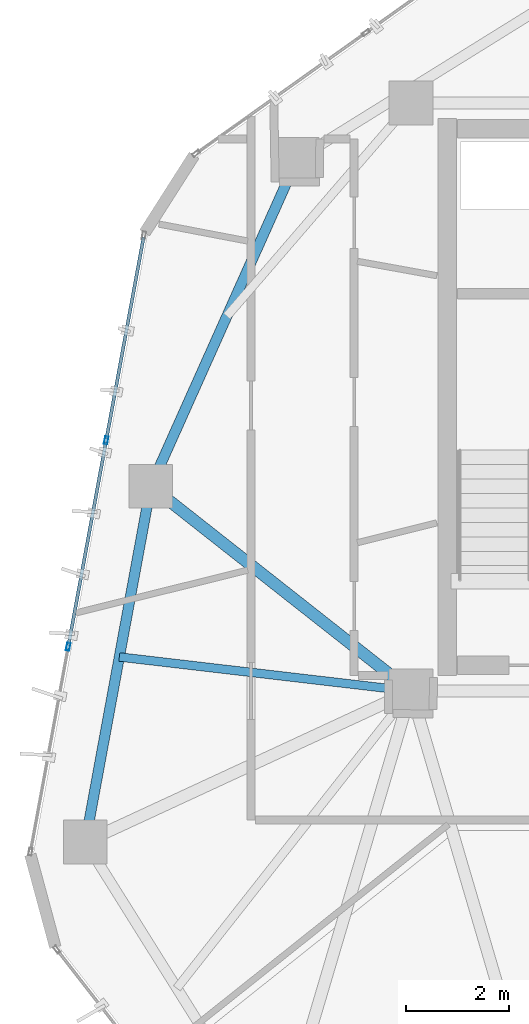
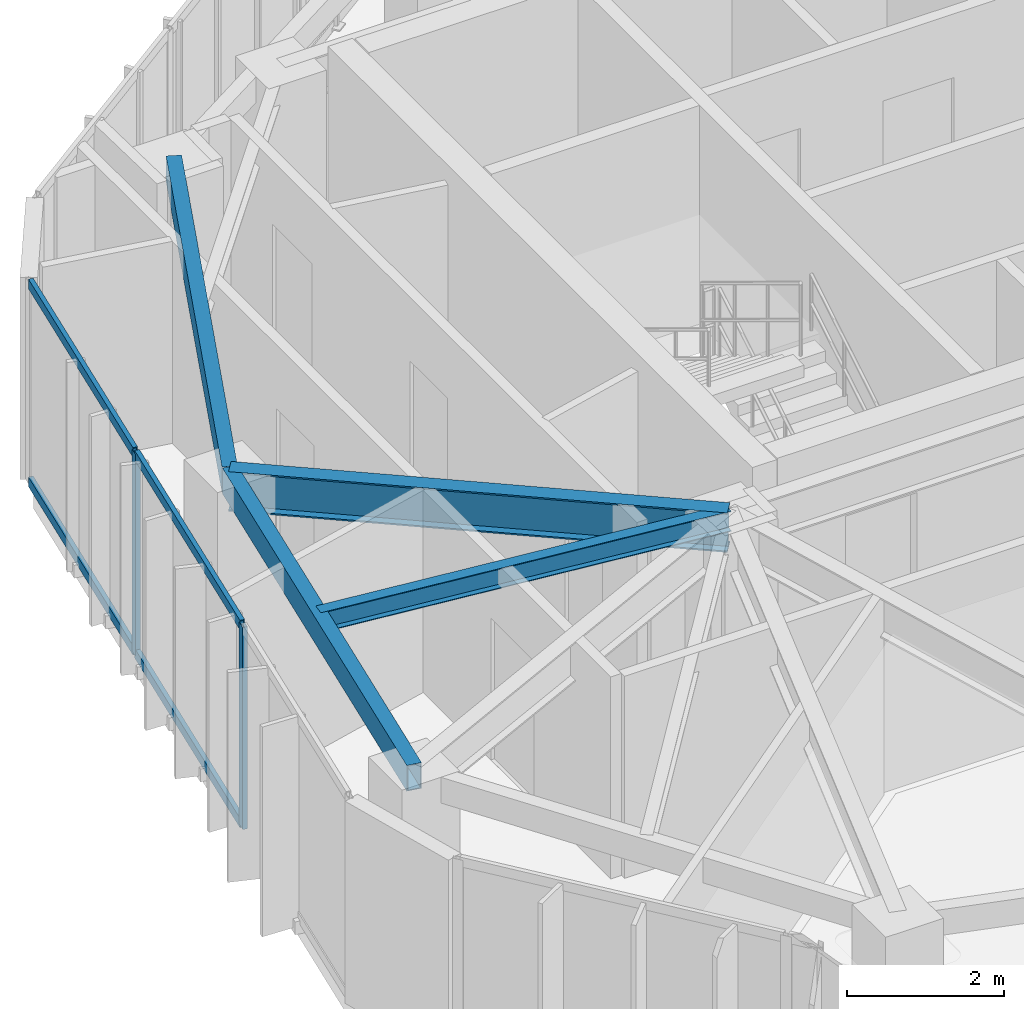
# One storey, part 8 of 19: 6 members, 4 beams, 1 element without a shape of its own.
"""IFC4 building model written with IfcOpenShell, lengths in metres."""

from ifc_helpers import new_model, si_unit, direction, frame, origin, origin_2d, place, context, subcontext, project, spatial, hollow_rectangle, i_section, extrude, source, transform, mapped, material, layer, layer_set, material_profile, profile_set, type_object, type_shapes, element, aggregate, save


model = new_model("IFC4")

# Units and contexts
model_context = context("Model", 3, precision=1e-05, world=origin(), true_north=direction((0.0, 1.0)))
body_context = subcontext(model_context, "Body", "Model", "MODEL_VIEW")
ifc_project = project(units=[si_unit("LENGTHUNIT", "METRE"), si_unit("AREAUNIT", "SQUARE_METRE"), si_unit("VOLUMEUNIT", "CUBIC_METRE"), si_unit("PLANEANGLEUNIT", "RADIAN"), si_unit("MASSUNIT", "GRAM", prefix="KILO")], contexts=[model_context])

# Site, building, storey
site_placement = place(None, origin())
site = spatial("IfcSite", under=ifc_project, at=site_placement, CompositionType="ELEMENT")
building_placement = place(site_placement, origin())
building = spatial("IfcBuilding", under=site, at=building_placement, Name="Talar Marvaseh", CompositionType="ELEMENT")
storey_placement = place(building_placement, frame((0.0, 0.0, 240.800048828125)))
storey = spatial("IfcBuildingStorey", under=building, at=storey_placement, Name="L63", CompositionType="ELEMENT", Elevation=240.800048828125)

# Beams
ifc_material_1 = material(Name="Steel S355", Category="steel")
ifc_material_profile_1 = material_profile(ifc_material_1, hollow_rectangle(XDim=0.199951171875, YDim=0.39990234375, WallThickness=0.013916015625, at=origin_2d()), Name="RHS400x200x14")
ifc_profile_set_1 = profile_set([ifc_material_profile_1], Name="Steel S355")
beam_type_1 = type_object("IfcBeamType", Name="Zone 3 Perimeter Spandrel Beam RHS400x200x14", PredefinedType="SPANDREL", material=ifc_profile_set_1)
beam_1_placement = place(storey_placement, frame((12.388916015625, 22.576904296875, 2.93994140625), z_axis=(0.18106135948, 0.983471801377, 0.0), x_axis=(-0.983471801377, 0.18106135948, 0.0)))
element("IfcBeam", 1, at=beam_1_placement, inside=storey, type_object=beam_type_1, Name="L63 Zone 3 Perimeter Spandrel Beam RHS400x200x14", PredefinedType="SPANDREL", context=body_context, shape_type="SweptSolid", body=[
    extrude(hollow_rectangle(XDim=0.199951171875, YDim=0.39990234375, WallThickness=0.013916015625, at=origin_2d()), origin(), (0.0, 0.0, 1.0), 7.0087890625),
])
beam_2_placement = place(storey_placement, frame((13.657958984375, 29.469970703125, 2.93994140625), z_axis=(0.408486346803, 0.912764429892, 0.0), x_axis=(-0.912764429892, 0.408486346803, 0.0)))
element("IfcBeam", 2, at=beam_2_placement, inside=storey, type_object=beam_type_1, Name="L63 Zone 3 Perimeter Spandrel Beam RHS400x200x14", PredefinedType="SPANDREL", context=body_context, shape_type="SweptSolid", body=[
    extrude(hollow_rectangle(XDim=0.199951171875, YDim=0.39990234375, WallThickness=0.013916015625, at=origin_2d()), origin(), (0.0, 0.0, 1.0), 6.942626953125),
])
ifc_material_profile_2 = material_profile(ifc_material_1, i_section(OverallWidth=0.166015625, OverallDepth=0.31298828125, WebThickness=0.006591796875, FlangeThickness=0.01123046875, at=origin_2d()), Name="W310x45")
ifc_profile_set_2 = profile_set([ifc_material_profile_2], Name="Steel S355")
beam_type_2 = type_object("IfcBeamType", Name="Zone 3 Secondary Floor Joist W310x45", PredefinedType="JOIST", material=ifc_profile_set_2)
beam_3_placement = place(storey_placement, frame((13.048828125, 26.161376953125, 2.9833984375), z_axis=(0.993221011039, -0.116241228622, 0.0), x_axis=(0.116241228622, 0.993221011039, 0.0)))
element("IfcBeam", 3, at=beam_3_placement, inside=storey, type_object=beam_type_2, Name="L63 Zone 3 Secondary Floor Joist W310x45", PredefinedType="JOIST", context=body_context, shape_type="SweptSolid", body=[
    extrude(i_section(OverallWidth=0.166015625, OverallDepth=0.31298828125, WebThickness=0.006591796875, FlangeThickness=0.01123046875, at=origin_2d()), origin(), (0.0, 0.0, 1.0), 5.689697265625),
])
ifc_material_profile_3 = material_profile(ifc_material_1, i_section(OverallWidth=0.22998046875, OverallDepth=0.616943359375, WebThickness=0.01318359375, FlangeThickness=0.022216796875, at=origin_2d()), Name="W610x140")
ifc_profile_set_3 = profile_set([ifc_material_profile_3], Name="Steel S355")
beam_type_3 = type_object("IfcBeamType", Name="Zone 4 Radial Floor Girder W610x140", PredefinedType="BEAM", material=ifc_profile_set_3)
beam_4_placement = place(storey_placement, frame((13.657958984375, 29.469970703125, 2.83154296875), z_axis=(0.785681617372, -0.618631066245, 0.0), x_axis=(0.618631066245, 0.785681617372, 0.0)))
element("IfcBeam", 4, at=beam_4_placement, inside=storey, type_object=beam_type_3, Name="L63 Zone 4 Radial Floor Girder W610x140", PredefinedType="BEAM", context=body_context, shape_type="SweptSolid", body=[
    extrude(i_section(OverallWidth=0.22998046875, OverallDepth=0.616943359375, WebThickness=0.01318359375, FlangeThickness=0.022216796875, at=origin_2d()), origin(), (0.0, 0.0, 1.0), 6.417236328125),
])

# Curtain wall, members
ifc_material_2 = material(Name="Architectural Aluminium", Category="aluminium")
ifc_layer = layer(ifc_material_2, 0.179931640625)
ifc_layer_set = layer_set([ifc_layer], Name="Architectural Aluminium")
curtain_wall_type = type_object("IfcCurtainWallType", Name="Unitised High-Wind Sky Curtain Wall Z4", PredefinedType="NOTDEFINED", material=ifc_layer_set)
curtain_wall_placement = place(storey_placement, origin())
curtain_wall = element("IfcCurtainWall", 5, at=curtain_wall_placement, inside=storey, type_object=curtain_wall_type, Name="L63 Unitised High-Wind Sky Curtain Wall Z4", PredefinedType="NOTDEFINED")
ifc_material_profile_4 = material_profile(ifc_material_2, hollow_rectangle(XDim=0.06494140625, YDim=0.14990234375, WallThickness=0.00390625, at=origin_2d()), Name="RHS150x65x4")
ifc_profile_set_4 = profile_set([ifc_material_profile_4], Name="Architectural Aluminium")
member_type_1 = type_object("IfcMemberType", Name="Unitised Curtain Wall Slim Mullion RHS150x65x4", PredefinedType="MULLION", material=ifc_profile_set_4)
shared_shape_1 = source(origin(), body_context, "Body", "SweptSolid", [
    extrude(hollow_rectangle(XDim=0.06494140625, YDim=0.14990234375, WallThickness=0.00390625, at=origin_2d()), origin(), (0.0, 0.0, 1.0), 3.139892578125),
])
type_shapes(member_type_1, [shared_shape_1])
member_1_placement = place(storey_placement, frame((12.05810546875, 26.3583984375, 0.0), z_axis=(0.0, 0.0, 1.0), x_axis=(-0.983470699845, 0.181067342572, 0.0)))
member_1 = element("IfcMember", 6, at=member_1_placement, type_object=member_type_1, Name="CW-Z4 mullion 2", PredefinedType="MULLION", context=body_context, shape_type="MappedRepresentation", body=[
    mapped(shared_shape_1, transform((0.0, 0.0, 0.0), x_axis=(1.0, 0.0, 0.0), y_axis=(0.0, 1.0, 0.0), z_axis=(0.0, 0.0, 1.0), scale=1.0)),
])
member_2_placement = place(storey_placement, frame((12.794677734375, 30.359619140625, 0.0), z_axis=(0.0, 0.0, 1.0), x_axis=(-0.983470699845, 0.181067342572, 0.0)))
member_2 = element("IfcMember", 7, at=member_2_placement, type_object=member_type_1, Name="CW-Z4 mullion 3", PredefinedType="MULLION", context=body_context, shape_type="MappedRepresentation", body=[
    mapped(shared_shape_1, transform((0.0, 0.0, 0.0), x_axis=(1.0, 0.0, 0.0), y_axis=(0.0, 1.0, 0.0), z_axis=(0.0, 0.0, 1.0), scale=1.0)),
])
ifc_material_profile_5 = material_profile(ifc_material_2, hollow_rectangle(XDim=0.06494140625, YDim=0.14990234375, WallThickness=0.00390625, at=origin_2d()), Name="RHS150x65x4")
ifc_profile_set_5 = profile_set([ifc_material_profile_5], Name="Architectural Aluminium")
member_type_2 = type_object("IfcMemberType", Name="Unitised Curtain Wall Slim Transom RHS150x65x4", PredefinedType="USERDEFINED", material=ifc_profile_set_5)
shared_shape_2 = source(origin(), body_context, "Body", "SweptSolid", [
    extrude(hollow_rectangle(XDim=0.06494140625, YDim=0.14990234375, WallThickness=0.00390625, at=origin_2d()), origin(), (0.0, 0.0, 1.0), 3.97119140625),
])
member_3_placement = place(storey_placement, frame((12.800537109375, 30.3916015625, 0.032470703125), z_axis=(0.18105445995, 0.983473071585, 0.0), x_axis=(-0.983473071585, 0.18105445995, 0.0)))
member_3 = element("IfcMember", 8, at=member_3_placement, type_object=member_type_2, Name="CW-Z4 transom 3.1", ObjectType="TRANSOM", PredefinedType="USERDEFINED", context=body_context, shape_type="MappedRepresentation", body=[
    mapped(shared_shape_2, transform((0.0, 0.0, 0.0), x_axis=(1.0, 0.0, 0.0), y_axis=(0.0, 1.0, 0.0), z_axis=(0.0, 0.0, 1.0), scale=1.0)),
])
member_4_placement = place(storey_placement, frame((12.800537109375, 30.3916015625, 3.107421875), z_axis=(0.18105445995, 0.983473071585, 0.0), x_axis=(-0.983473071585, 0.18105445995, 0.0)))
member_4 = element("IfcMember", 9, at=member_4_placement, type_object=member_type_2, Name="CW-Z4 transom 3.2", ObjectType="TRANSOM", PredefinedType="USERDEFINED", context=body_context, shape_type="MappedRepresentation", body=[
    mapped(shared_shape_2, transform((0.0, 0.0, 0.0), x_axis=(1.0, 0.0, 0.0), y_axis=(0.0, 1.0, 0.0), z_axis=(0.0, 0.0, 1.0), scale=1.0)),
])
shared_shape_3 = source(origin(), body_context, "Body", "SweptSolid", [
    extrude(hollow_rectangle(XDim=0.06494140625, YDim=0.14990234375, WallThickness=0.00390625, at=origin_2d()), origin(), (0.0, 0.0, 1.0), 4.00341796875),
])
type_shapes(member_type_2, [shared_shape_2, shared_shape_3])
member_5_placement = place(storey_placement, frame((12.06396484375, 26.390380859375, 0.032470703125), z_axis=(0.181058434734, 0.98347233983, 0.0), x_axis=(-0.98347233983, 0.181058434734, 0.0)))
member_5 = element("IfcMember", 10, at=member_5_placement, type_object=member_type_2, Name="CW-Z4 transom 2.1", ObjectType="TRANSOM", PredefinedType="USERDEFINED", context=body_context, shape_type="MappedRepresentation", body=[
    mapped(shared_shape_3, transform((0.0, 0.0, 0.0), x_axis=(1.0, 0.0, 0.0), y_axis=(0.0, 1.0, 0.0), z_axis=(0.0, 0.0, 1.0), scale=1.0)),
])
member_6_placement = place(storey_placement, frame((12.06396484375, 26.390380859375, 3.107421875), z_axis=(0.181058434734, 0.98347233983, 0.0), x_axis=(-0.98347233983, 0.181058434734, 0.0)))
member_6 = element("IfcMember", 11, at=member_6_placement, type_object=member_type_2, Name="CW-Z4 transom 2.2", ObjectType="TRANSOM", PredefinedType="USERDEFINED", context=body_context, shape_type="MappedRepresentation", body=[
    mapped(shared_shape_3, transform((0.0, 0.0, 0.0), x_axis=(1.0, 0.0, 0.0), y_axis=(0.0, 1.0, 0.0), z_axis=(0.0, 0.0, 1.0), scale=1.0)),
])
aggregate(curtain_wall, [member_1, member_2, member_5, member_6, member_3, member_4])

save(model, "model.ifc")
